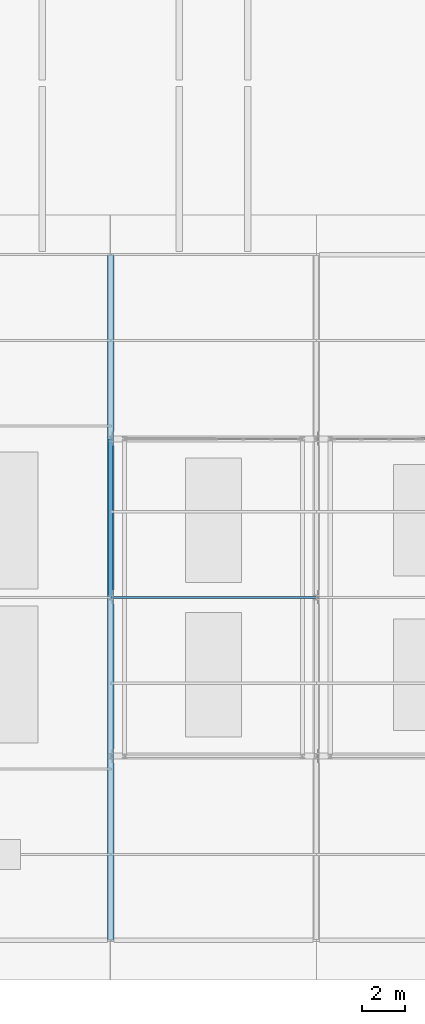
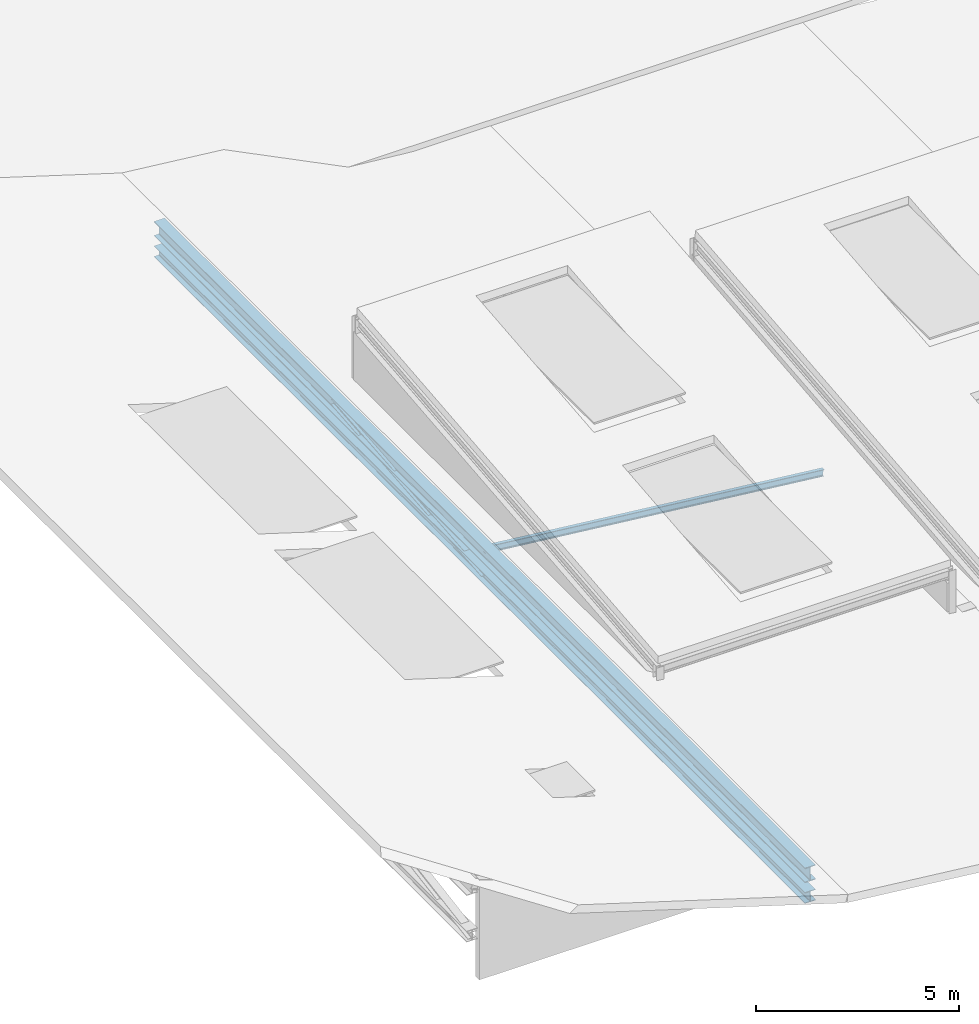
# One storey, part 6 of 30: 2 beams, 2 members.
"""IFC4 building model written with IfcOpenShell, lengths in metres."""

from ifc_helpers import new_model, si_unit, direction, frame, origin, origin_2d, place, context, subcontext, project, spatial, i_section, extrude, material, material_profile, profile_set, type_object, element, save


model = new_model("IFC4")

# Units and contexts
model_context = context("Model", 3, precision=1e-05, world=origin(), true_north=direction((0.0, 1.0)))
body_context = subcontext(model_context, "Body", "Model", "MODEL_VIEW")
ifc_project = project(units=[si_unit("LENGTHUNIT", "METRE"), si_unit("AREAUNIT", "SQUARE_METRE"), si_unit("VOLUMEUNIT", "CUBIC_METRE"), si_unit("PLANEANGLEUNIT", "RADIAN"), si_unit("MASSUNIT", "GRAM", prefix="KILO")], contexts=[model_context])

# Site, building, storey
site_placement = place(None, origin())
site = spatial("IfcSite", under=ifc_project, at=site_placement, CompositionType="ELEMENT")
building_placement = place(site_placement, origin())
building = spatial("IfcBuilding", under=site, at=building_placement, Name="Alderhovde Museum", CompositionType="ELEMENT")
storey_placement = place(building_placement, frame((0.0, 0.0, 30.699951171875)))
storey = spatial("IfcBuildingStorey", under=building, at=storey_placement, Name="RF", CompositionType="ELEMENT", Elevation=30.699951171875)

# Beams
ifc_material_1 = material(Name="Steel S355J2", Category="steel")
ifc_material_profile_1 = material_profile(ifc_material_1, i_section(OverallWidth=0.300048828125, OverallDepth=0.330078125, WebThickness=0.009521484375, FlangeThickness=0.0166015625, FilletRadius=0.027099609375, at=origin_2d()), Name="HEA 340")
ifc_profile_set_1 = profile_set([ifc_material_profile_1], Name="Steel S355J2")
beam_type_1 = type_object("IfcBeamType", Name="BM-HEA340", PredefinedType="BEAM", material=ifc_profile_set_1)
beam_1_placement = place(storey_placement, frame((19.199951171875, 48.0, -2.449951171875), z_axis=(0.0, 1.0, 0.0), x_axis=(-1.0, 0.0, 0.0)))
element("IfcBeam", 1, at=beam_1_placement, inside=storey, type_object=beam_type_1, Name="Sawtooth Roof Truss X=19.2 Continuous Bottom Chord", PredefinedType="BEAM", context=body_context, shape_type="SweptSolid", body=[
    extrude(i_section(OverallWidth=0.300048828125, OverallDepth=0.330078125, WebThickness=0.009521484375, FlangeThickness=0.0166015625, FilletRadius=0.027099609375, at=origin_2d()), origin(), (0.0, 0.0, 1.0), 32.0),
])
ifc_material_2 = material(Name="Steel S355J2", Category="steel")
ifc_material_profile_2 = material_profile(ifc_material_2, i_section(OverallWidth=0.300048828125, OverallDepth=0.43994140625, WebThickness=0.011474609375, FlangeThickness=0.02099609375, FilletRadius=0.027099609375, at=origin_2d()), Name="HEA 450")
ifc_profile_set_2 = profile_set([ifc_material_profile_2], Name="Steel S355J2")
beam_type_2 = type_object("IfcBeamType", Name="BM-HEA450", PredefinedType="BEAM", material=ifc_profile_set_2)
beam_2_placement = place(storey_placement, frame((19.199951171875, 48.0, -1.77001953125), z_axis=(0.0, 1.0, 0.0), x_axis=(-1.0, 0.0, 0.0)))
element("IfcBeam", 2, at=beam_2_placement, inside=storey, type_object=beam_type_2, Name="Sawtooth Roof Truss X=19.2 Continuous Top Chord", PredefinedType="BEAM", context=body_context, shape_type="SweptSolid", body=[
    extrude(i_section(OverallWidth=0.300048828125, OverallDepth=0.43994140625, WebThickness=0.011474609375, FlangeThickness=0.02099609375, FilletRadius=0.027099609375, at=origin_2d()), origin(), (0.0, 0.0, 1.0), 32.0),
])

# Members
ifc_material_3 = material(Name="Steel S355J2", Category="steel")
ifc_material_profile_3 = material_profile(ifc_material_3, i_section(OverallWidth=0.10009765625, OverallDepth=0.199951171875, WebThickness=0.005615234375, FlangeThickness=0.008544921875, FilletRadius=0.011962890625, at=origin_2d()), Name="IPE 200")
ifc_profile_set_3 = profile_set([ifc_material_profile_3], Name="Steel S355J2")
member_type_1 = type_object("IfcMemberType", Name="PRL-IPE200", PredefinedType="PURLIN", material=ifc_profile_set_3)
member_1_placement = place(storey_placement, frame((19.199951171875, 64.0, -1.739990234375), z_axis=(0.994201715794, 0.0, -0.107531150432), x_axis=(0.0, 1.0, 0.0)))
element("IfcMember", 3, at=member_1_placement, inside=storey, type_object=member_type_1, Name="Folded Wing Roof Purlin Bay 2 Y=64", PredefinedType="PURLIN", context=body_context, shape_type="SweptSolid", body=[
    extrude(i_section(OverallWidth=0.10009765625, OverallDepth=0.199951171875, WebThickness=0.005615234375, FlangeThickness=0.008544921875, FilletRadius=0.011962890625, at=origin_2d()), origin(), (0.0, 0.0, 1.0), 9.656005859375),
])
ifc_material_4 = material(Name="Steel S355J2", Category="steel")
ifc_material_profile_4 = material_profile(ifc_material_4, i_section(OverallWidth=0.179931640625, OverallDepth=0.1708984375, WebThickness=0.006103515625, FlangeThickness=0.009521484375, FilletRadius=0.014892578125, at=origin_2d()), Name="HEA 180")
ifc_profile_set_4 = profile_set([ifc_material_profile_4], Name="Steel S355J2")
member_type_2 = type_object("IfcMemberType", Name="TR-DG-HEA180", PredefinedType="RAFTER", material=ifc_profile_set_4)
member_2_placement = place(storey_placement, frame((19.199951171875, 64.0, -2.449951171875), z_axis=(0.0, 0.995805220188, 0.091498434122), x_axis=(-1.0, 0.0, 0.0)))
element("IfcMember", 4, at=member_2_placement, inside=storey, type_object=member_type_2, Name="Sawtooth Roof Truss X=19.2 Web Diagonal 3", PredefinedType="RAFTER", context=body_context, shape_type="SweptSolid", body=[
    extrude(i_section(OverallWidth=0.179931640625, OverallDepth=0.1708984375, WebThickness=0.006103515625, FlangeThickness=0.009521484375, FilletRadius=0.014892578125, at=origin_2d()), origin(), (0.0, 0.0, 1.0), 7.43115234375),
])

save(model, "model.ifc")
